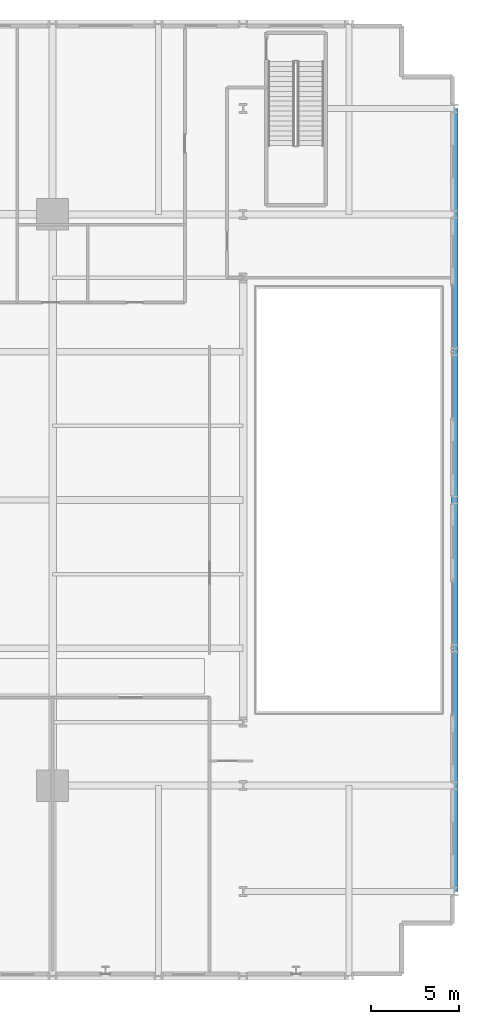
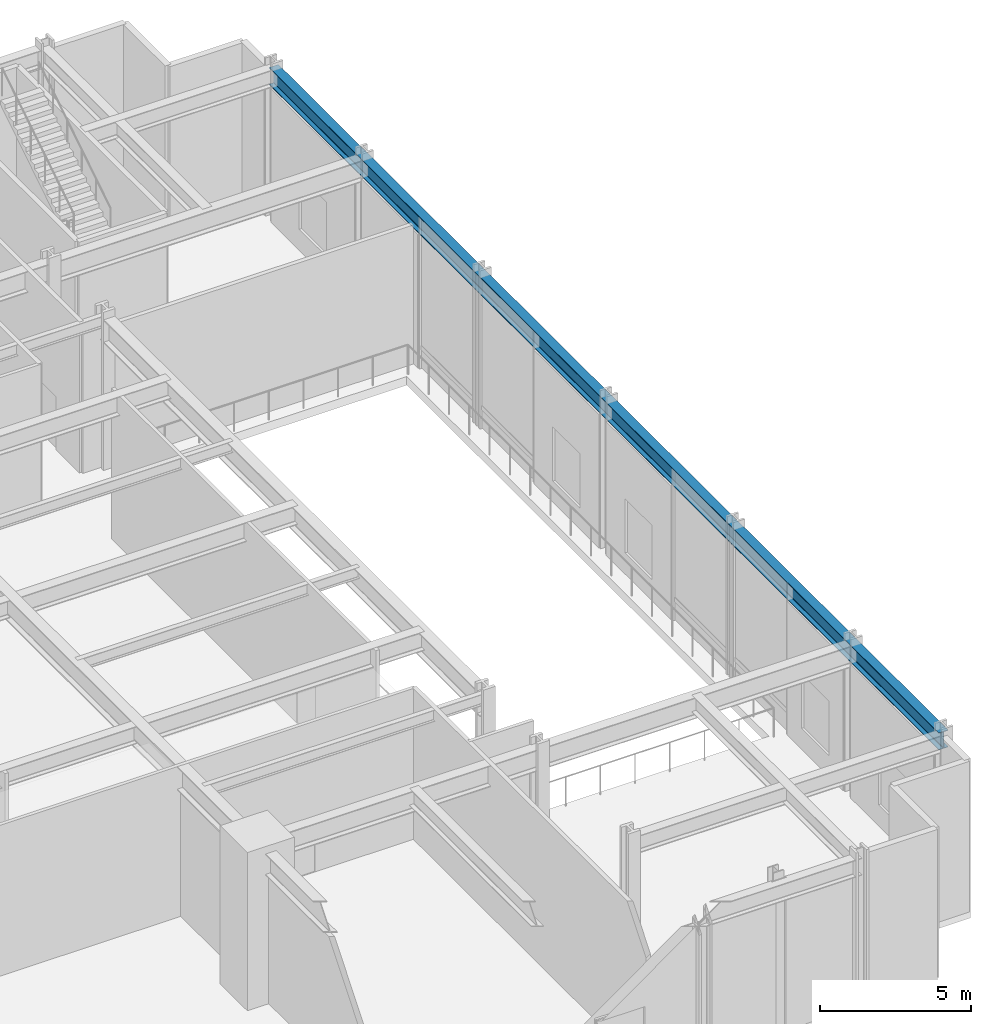
# One storey, part 8 of 20: 1 beam.
"""IFC4 building model written with IfcOpenShell, lengths in metres."""

from ifc_helpers import new_model, si_unit, direction, frame, origin, origin_2d, place, context, subcontext, project, spatial, i_section, extrude, material, material_profile, profile_set, type_object, element, save


model = new_model("IFC4")

# Units and contexts
model_context = context("Model", 3, precision=1e-05, world=origin(), true_north=direction((0.0, 1.0)))
body_context = subcontext(model_context, "Body", "Model", "MODEL_VIEW")
ifc_project = project(units=[si_unit("LENGTHUNIT", "METRE"), si_unit("AREAUNIT", "SQUARE_METRE"), si_unit("VOLUMEUNIT", "CUBIC_METRE"), si_unit("PLANEANGLEUNIT", "RADIAN"), si_unit("MASSUNIT", "GRAM", prefix="KILO")], contexts=[model_context])

# Site, building, storey
site_placement = place(None, origin())
site = spatial("IfcSite", under=ifc_project, at=site_placement, CompositionType="ELEMENT")
building_placement = place(site_placement, origin())
building = spatial("IfcBuilding", under=site, at=building_placement, Name="Drelvath Grand Hotel", CompositionType="ELEMENT")
storey_placement = place(building_placement, frame((0.0, 0.0, 10.800048828125)))
storey = spatial("IfcBuildingStorey", under=building, at=storey_placement, Name="L02", CompositionType="ELEMENT", Elevation=10.800048828125)

# Beam
ifc_material = material(Name="Steel ASTM A992 Gr 50", Category="steel")
ifc_material_profile = material_profile(ifc_material, i_section(OverallWidth=0.354736328125, OverallDepth=0.695556640625, WebThickness=0.015380859375, FlangeThickness=0.025146484375, FilletRadius=0.02392578125, at=origin_2d()), Name="W27X146")
ifc_profile_set = profile_set([ifc_material_profile], Name="Steel ASTM A992 Gr 50")
beam_type = type_object("IfcBeamType", Name="Perimeter Spandrel Beam W27X146", PredefinedType="SPANDREL", material=ifc_profile_set)
beam_placement = place(storey_placement, frame((39.0, 4.800048828125, 5.752197265625), z_axis=(0.0, 1.0, 0.0), x_axis=(-1.0, 0.0, 0.0)))
element("IfcBeam", 1, at=beam_placement, inside=storey, type_object=beam_type, Name="L02 Podium Perimeter Spandrel SPE1", PredefinedType="SPANDREL", context=body_context, shape_type="SweptSolid", body=[
    extrude(i_section(OverallWidth=0.354736328125, OverallDepth=0.695556640625, WebThickness=0.015380859375, FlangeThickness=0.025146484375, FilletRadius=0.02392578125, at=origin_2d()), origin(), (0.0, 0.0, 1.0), 44.39990234375),
])

save(model, "model.ifc")
